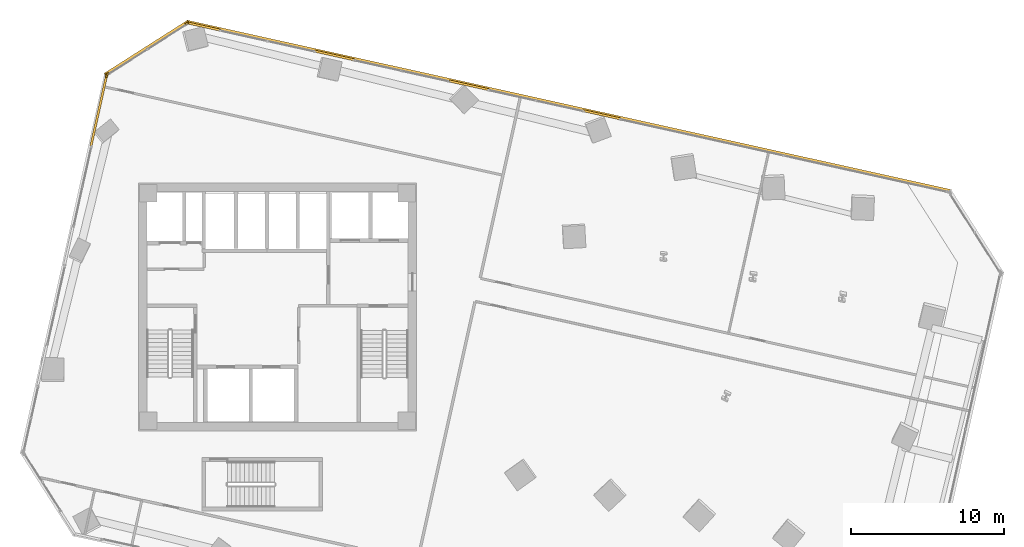
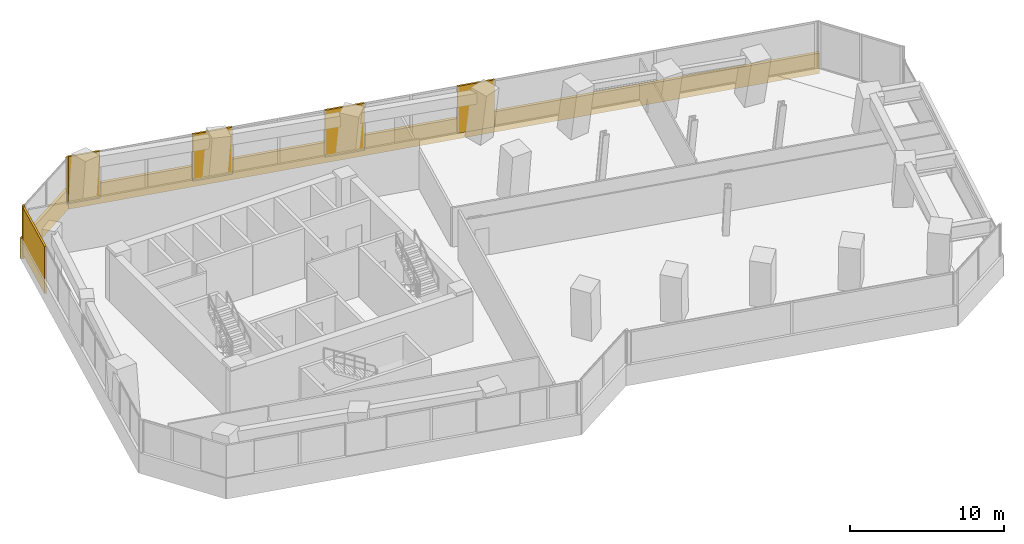
# One storey, part 25 of 25: 10 coverings.
"""IFC4 building model written with IfcOpenShell, lengths in metres."""

from ifc_helpers import new_model, si_unit, direction, frame, origin, origin_2d, place, context, subcontext, project, spatial, rectangle, extrude, source, transform, mapped, material, layer, layer_set, type_object, element, save


model = new_model("IFC4")

# Units and contexts
model_context = context("Model", 3, precision=1e-05, world=origin(), true_north=direction((0.0, 1.0)))
body_context = subcontext(model_context, "Body", "Model", "MODEL_VIEW")
ifc_project = project(units=[si_unit("LENGTHUNIT", "METRE"), si_unit("AREAUNIT", "SQUARE_METRE"), si_unit("VOLUMEUNIT", "CUBIC_METRE"), si_unit("PLANEANGLEUNIT", "RADIAN"), si_unit("MASSUNIT", "GRAM", prefix="KILO")], contexts=[model_context])

# Site, building, storey
site_placement = place(None, origin())
site = spatial("IfcSite", under=ifc_project, at=site_placement, CompositionType="ELEMENT")
building_placement = place(site_placement, origin())
building = spatial("IfcBuilding", under=site, at=building_placement, Name="Torre Montelarca", CompositionType="ELEMENT")
storey_placement = place(building_placement, frame((0.0, 0.0, 91.60009765625)))
storey = spatial("IfcBuildingStorey", under=building, at=storey_placement, Name="L20", CompositionType="ELEMENT", Elevation=91.60009765625)

# Coverings
ifc_material = material(Name="Bush-hammered warm white precast concrete C45/55", Category="concrete")
ifc_layer = layer(ifc_material, 0.139892578125, Name="Bush-hammered warm white precast concrete C45/55", Category="concrete")
ifc_layer_set = layer_set([ifc_layer], Name="Bush-hammered warm white precast concrete C45/55")
covering_type = type_object("IfcCoveringType", Name="COV-TRAY-CLAD", PredefinedType="CLADDING", material=ifc_layer_set)
shared_shape_1 = source(origin(), body_context, "Body", "SweptSolid", [
    extrude(rectangle(XDim=6.48388671875, YDim=0.219970703125, at=origin_2d()), origin(), (0.0, 0.0, 1.0), 1.6201171875),
])
covering_1_placement = place(storey_placement, frame((9.45166015625, 48.93798828125, -0.4501953125), z_axis=(0.0, 0.0, 1.0), x_axis=(-0.843387694733, -0.537305496317, 0.0)))
element("IfcCovering", 1, at=covering_1_placement, inside=storey, type_object=covering_type, Name="L20 Architectural White Spandrel Tray Band TRYBOT-09", PredefinedType="CLADDING", context=body_context, shape_type="MappedRepresentation", body=[
    mapped(shared_shape_1, transform((0.0, 0.0, 0.0), scale=1.0)),
])
shared_shape_2 = source(origin(), body_context, "Body", "SweptSolid", [
    extrude(rectangle(XDim=51.219970703125, YDim=0.219970703125, at=origin_2d()), origin(), (0.0, 0.0, 1.0), 1.6201171875),
])
covering_2_placement = place(storey_placement, frame((37.05712890625, 45.11376953125, -0.4501953125), z_axis=(0.0, 0.0, 1.0), x_axis=(-0.97629600712, 0.216439613938, 0.0)))
element("IfcCovering", 2, at=covering_2_placement, inside=storey, type_object=covering_type, Name="L20 Architectural White Spandrel Tray Band TRYBOT-08", PredefinedType="CLADDING", context=body_context, shape_type="MappedRepresentation", body=[
    mapped(shared_shape_2, transform((0.0, 0.0, 0.0), scale=1.0)),
])
shared_shape_3 = source(origin(), body_context, "Body", "SweptSolid", [
    extrude(rectangle(XDim=0.199951171875, YDim=0.139892578125, at=origin_2d()), origin(), (0.0, 0.0, 1.0), 3.719970703125),
])
for number, where, z_axis, x_axis, name in (
    (3, (12.06982421875, 50.534912109375, 0.0), (0.0, 0.0, 1.0), (-0.843382068037, -0.537314328223, 0.0), "L20 Architectural Column Pier Cladding E09-1"),
    (4, (6.89794921875, 47.239990234375, 0.0), (0.0, 0.0, 1.0), (-0.843382068037, -0.537314328223, 0.0), "L20 Architectural Column Pier Cladding E09-2"),
    (5, (6.814697265625, 47.12109375, 0.0), (0.0, 0.0, 1.0), (-0.216441317896, -0.97629562936, 0.0), "L20 Architectural Column Pier Cladding E10-1"),
):
    element("IfcCovering", number, at=place(storey_placement, frame(where, z_axis=z_axis, x_axis=x_axis)), inside=storey, type_object=covering_type, Name=name, PredefinedType="CLADDING", context=body_context, shape_type="MappedRepresentation", body=[
        mapped(shared_shape_3, transform((0.0, 0.0, 0.0), scale=1.0)),
    ])
shared_shape_4 = source(origin(), body_context, "Body", "SweptSolid", [
    extrude(rectangle(XDim=2.5234375, YDim=0.139892578125, at=origin_2d()), origin(), (0.0, 0.0, 1.0), 3.719970703125),
])
covering_3_placement = place(storey_placement, frame((39.222900390625, 44.572021484375, 0.0), z_axis=(0.0, 0.0, 1.0), x_axis=(-0.97629600712, 0.216439613938, 0.0)))
element("IfcCovering", 6, at=covering_3_placement, inside=storey, type_object=covering_type, Name="L20 Architectural Column Pier Cladding E08-2", PredefinedType="CLADDING", context=body_context, shape_type="MappedRepresentation", body=[
    mapped(shared_shape_4, transform((0.0, 0.0, 0.0), scale=1.0)),
])
shared_shape_5 = source(origin(), body_context, "Body", "SweptSolid", [
    extrude(rectangle(XDim=2.689208984375, YDim=0.139892578125, at=origin_2d()), origin(), (0.0, 0.0, 1.0), 3.719970703125),
])
covering_4_placement = place(storey_placement, frame((30.51708984375, 46.501953125, 0.0), z_axis=(0.0, 0.0, 1.0), x_axis=(-0.97629600712, 0.216439613938, 0.0)))
element("IfcCovering", 7, at=covering_4_placement, inside=storey, type_object=covering_type, Name="L20 Architectural Column Pier Cladding E08-3", PredefinedType="CLADDING", context=body_context, shape_type="MappedRepresentation", body=[
    mapped(shared_shape_5, transform((0.0, 0.0, 0.0), scale=1.0)),
])
shared_shape_6 = source(origin(), body_context, "Body", "SweptSolid", [
    extrude(rectangle(XDim=2.69140625, YDim=0.139892578125, at=origin_2d()), origin(), (0.0, 0.0, 1.0), 3.719970703125),
])
covering_5_placement = place(storey_placement, frame((21.7314453125, 48.44970703125, 0.0), z_axis=(0.0, 0.0, 1.0), x_axis=(-0.97629600712, 0.216439613938, 0.0)))
element("IfcCovering", 8, at=covering_5_placement, inside=storey, type_object=covering_type, Name="L20 Architectural Column Pier Cladding E08-4", PredefinedType="CLADDING", context=body_context, shape_type="MappedRepresentation", body=[
    mapped(shared_shape_6, transform((0.0, 0.0, 0.0), scale=1.0)),
])
shared_shape_7 = source(origin(), body_context, "Body", "SweptSolid", [
    extrude(rectangle(XDim=4.76416015625, YDim=0.139892578125, at=origin_2d()), origin(), (0.0, 0.0, 1.0), 3.719970703125),
])
covering_6_placement = place(storey_placement, frame((6.29931640625, 44.79541015625, 0.0), z_axis=(0.0, 0.0, 1.0), x_axis=(-0.216441317896, -0.97629562936, 0.0)))
element("IfcCovering", 9, at=covering_6_placement, inside=storey, type_object=covering_type, Name="L20 Architectural Column Pier Cladding E10-2", PredefinedType="CLADDING", context=body_context, shape_type="MappedRepresentation", body=[
    mapped(shared_shape_7, transform((0.0, 0.0, 0.0), scale=1.0)),
])
shared_shape_8 = source(origin(), body_context, "Body", "SweptSolid", [
    extrude(rectangle(XDim=2.19775390625, YDim=0.139892578125, at=origin_2d()), origin(), (0.0, 0.0, 1.0), 3.719970703125),
])
covering_7_placement = place(storey_placement, frame((13.18798828125, 50.34375, 0.0), z_axis=(0.0, 0.0, 1.0), x_axis=(-0.97629600712, 0.216439613938, 0.0)))
element("IfcCovering", 10, at=covering_7_placement, inside=storey, type_object=covering_type, Name="L20 Architectural Column Pier Cladding E08-5", PredefinedType="CLADDING", context=body_context, shape_type="MappedRepresentation", body=[
    mapped(shared_shape_8, transform((0.0, 0.0, 0.0), scale=1.0)),
])

save(model, "model.ifc")
